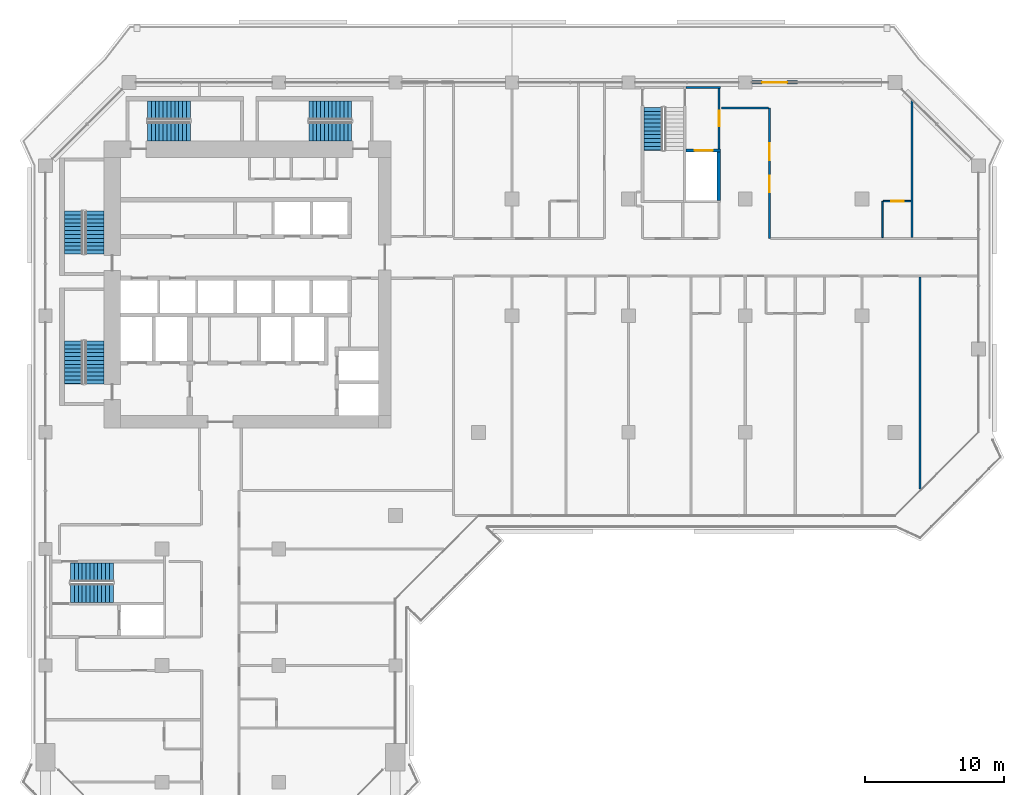
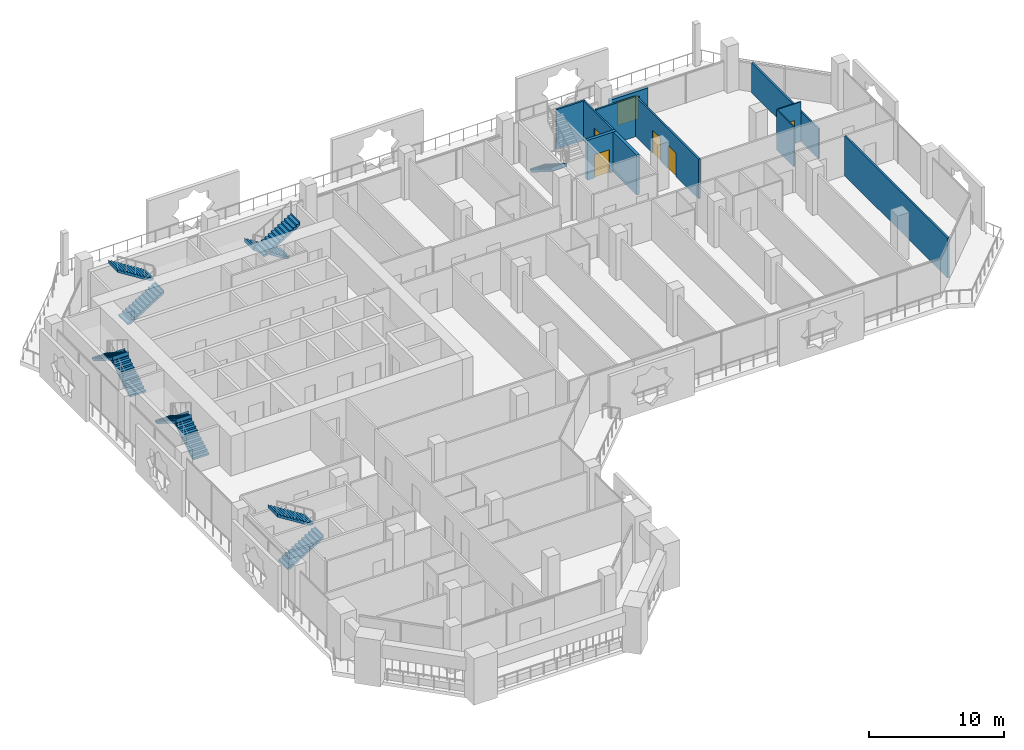
# One storey, part 14 of 22: 11 stair flights, 11 walls, 6 doors, 6 openings, 6 elements without a shape of their own.
"""IFC4 building model written with IfcOpenShell, lengths in metres."""

from ifc_helpers import new_model, si_unit, direction, frame, frame_2d, origin, place, context, subcontext, project, spatial, polyline, rectangle, outline, extrude, material, layer, layer_set, type_object, element, fill, aggregate, save


model = new_model("IFC4")

# Units and contexts
model_context = context("Model", 3, precision=1e-05, world=origin(), true_north=direction((0.0, 1.0)))
body_context = subcontext(model_context, "Body", "Model", "MODEL_VIEW")
ifc_project = project(units=[si_unit("LENGTHUNIT", "METRE"), si_unit("AREAUNIT", "SQUARE_METRE"), si_unit("VOLUMEUNIT", "CUBIC_METRE"), si_unit("PLANEANGLEUNIT", "RADIAN"), si_unit("MASSUNIT", "GRAM", prefix="KILO")], contexts=[model_context])

# Site, building, storey
site_placement = place(None, origin())
site = spatial("IfcSite", under=ifc_project, at=site_placement, CompositionType="ELEMENT")
building_placement = place(site_placement, origin())
building = spatial("IfcBuilding", under=site, at=building_placement, Name="Kawkab Arch Medical Tower", CompositionType="ELEMENT")
storey_placement = place(building_placement, frame((0.0, 0.0, 171.0)))
storey = spatial("IfcBuildingStorey", under=building, at=storey_placement, Name="L39", CompositionType="ELEMENT", Elevation=171.0)

# Wall, opening, door
ifc_material_1 = material(Name="Gypsum board on steel studs", Category="steel")
ifc_layer_1 = layer(ifc_material_1, 0.14990234375)
ifc_layer_set_1 = layer_set([ifc_layer_1], Name="Gypsum board on steel studs")
wall_type_1 = type_object("IfcWallType", Name="Core room partition 150", PredefinedType="PARTITIONING", material=ifc_layer_set_1)
wall_1_placement = place(storey_placement, frame((48.52490234375, -4.77490234375, 0.0), z_axis=(0.0, 0.0, 1.0), x_axis=(0.0, 1.0, 0.0)))
wall_1 = element("IfcWall", 1, at=wall_1_placement, inside=storey, type_object=wall_type_1, Name="L39 core room partition", PredefinedType="PARTITIONING", context=body_context, shape_type="SweptSolid", body=[
    extrude(rectangle(XDim=4.324951171875, YDim=0.14990234375, at=frame_2d((2.16259765625, 0.0))), origin(), (0.0, 0.0, 1.0), 3.60009765625),
])
opening_1_placement = place(wall_1_placement, frame((1.625, 0.0, 0.0)))
opening_1 = element("IfcOpeningElement", 2, at=opening_1_placement, cuts=wall_1, Name="Opening FD", PredefinedType="OPENING", context=body_context, shape_type="SweptSolid", body=[
    extrude(rectangle(XDim=1.10009765625, YDim=2.10009765625, at=frame_2d((0.550048828125, 1.050048828125))), frame((0.0, 0.0849609375, 0.0), z_axis=(0.0, -1.0, 0.0), x_axis=(1.0, 0.0, 0.0)), (0.0, 0.0, 1.0), 0.169921875),
])
ifc_material_2 = material(Name="Hollow metal fire door leaf")
door_type_1 = type_object("IfcDoorType", Name="Firefighting lobby door 1100", OperationType="SINGLE_SWING_LEFT", PredefinedType="DOOR", material=ifc_material_2)
door_1_placement = place(opening_1_placement, origin())
door_1 = element("IfcDoor", 3, at=door_1_placement, inside=storey, type_object=door_type_1, Name="L39 Service lift lobby door SV1", OperationType="SINGLE_SWING_LEFT", OverallHeight=2.10009765625, OverallWidth=1.10009765625, PredefinedType="DOOR", context=body_context, shape_type="SweptSolid", body=[
    extrude(rectangle(XDim=1.10009765625, YDim=2.10009765625, at=frame_2d((0.550048828125, 1.050048828125))), frame((0.0, 0.02490234375, 0.0), z_axis=(0.0, -1.0, 0.0), x_axis=(1.0, 0.0, 0.0)), (0.0, 0.0, 1.0), 0.050048828125),
])
fill(opening_1, door_1)

ifc_material_3 = material(Name="Concrete C60/75", Category="concrete")
ifc_layer_2 = layer(ifc_material_3, 0.25)
ifc_layer_set_2 = layer_set([ifc_layer_2], Name="Concrete C60/75")
wall_type_2 = type_object("IfcWallType", Name="Core shear wall 250 C60/75", PredefinedType="SHEAR", material=ifc_layer_set_2)
wall_2_placement = place(storey_placement, frame((46.14990234375, -4.89990234375, 0.0), z_axis=(0.0, 0.0, 1.0), x_axis=(1.0, 0.0, 0.0)))
wall_2 = element("IfcWall", 4, at=wall_2_placement, inside=storey, type_object=wall_type_2, Name="L39 core shear wall", PredefinedType="SHEAR", context=body_context, shape_type="SweptSolid", body=[
    extrude(rectangle(XDim=2.4501953125, YDim=0.25, at=frame_2d((1.22509765625, 0.0))), origin(), (0.0, 0.0, 1.0), 3.60009765625),
])
opening_2_placement = place(wall_2_placement, frame((0.60009765625, 0.0, 0.0)))
opening_2 = element("IfcOpeningElement", 5, at=opening_2_placement, cuts=wall_2, Name="Opening LD2", PredefinedType="OPENING", context=body_context, shape_type="SweptSolid", body=[
    extrude(rectangle(XDim=1.300048828125, YDim=2.10009765625, at=frame_2d((0.64990234375, 1.050048828125))), frame((0.0, 0.135009765625, 0.0), z_axis=(0.0, -1.0, 0.0), x_axis=(1.0, 0.0, 0.0)), (0.0, 0.0, 1.0), 0.27001953125),
])
ifc_material_4 = material(Name="Stainless steel lift door leaf", Category="steel")
door_type_2 = type_object("IfcDoorType", Name="Lift landing door 1300", OperationType="DOUBLE_DOOR_SLIDING", PredefinedType="DOOR", material=ifc_material_4)
door_2_placement = place(opening_2_placement, origin())
door_2 = element("IfcDoor", 6, at=door_2_placement, inside=storey, type_object=door_type_2, Name="L39 Lift landing door SV1", OperationType="DOUBLE_DOOR_SLIDING", OverallHeight=2.10009765625, OverallWidth=1.300048828125, PredefinedType="DOOR", context=body_context, shape_type="SweptSolid", body=[
    extrude(rectangle(XDim=1.300048828125, YDim=2.10009765625, at=frame_2d((0.64990234375, 1.050048828125))), frame((0.0, 0.02490234375, 0.0), z_axis=(0.0, -1.0, 0.0), x_axis=(1.0, 0.0, 0.0)), (0.0, 0.0, 1.0), 0.050048828125),
])
fill(opening_2, door_2)

# Wall
wall_3_placement = place(storey_placement, frame((48.47509765625, -8.5, 0.0), z_axis=(0.0, 0.0, 1.0), x_axis=(0.0, 1.0, 0.0)))
element("IfcWall", 7, at=wall_3_placement, inside=storey, type_object=wall_type_2, Name="L39 core shear wall", PredefinedType="SHEAR", context=body_context, shape_type="SweptSolid", body=[
    extrude(rectangle(XDim=3.47509765625, YDim=0.25, at=frame_2d((1.737548828125, 0.0))), origin(), (0.0, 0.0, 1.0), 3.60009765625),
])

# Wall, opening, door
ifc_material_5 = material(Name="Bronze clad insulated wall panel")
ifc_layer_3 = layer(ifc_material_5, 0.25)
ifc_layer_set_3 = layer_set([ifc_layer_3], Name="Bronze clad insulated wall panel")
wall_type_3 = type_object("IfcWallType", Name="External wall bay 250", PredefinedType="SOLIDWALL", material=ifc_layer_set_3)
wall_4_placement = place(storey_placement, frame((54.14990234375, 0.0, 0.0), z_axis=(0.0, 0.0, 1.0), x_axis=(-1.0, 0.0, 0.0)))
wall_4 = element("IfcWall", 8, at=wall_4_placement, inside=storey, type_object=wall_type_3, Name="External wall bay L39.R11.1.3", PredefinedType="SOLIDWALL", context=body_context, shape_type="SweptSolid", body=[
    extrude(rectangle(XDim=3.27490234375, YDim=0.25, at=frame_2d((1.637451171875, 0.0))), origin(), (0.0, 0.0, 1.0), 2.580078125),
])
opening_3_placement = place(wall_4_placement, frame((0.737548828125, 0.0, 0.0)))
opening_3 = element("IfcOpeningElement", 9, at=opening_3_placement, cuts=wall_4, Name="Opening W39-701", PredefinedType="OPENING", context=body_context, shape_type="SweptSolid", body=[
    extrude(rectangle(XDim=1.800048828125, YDim=2.10009765625, at=frame_2d((0.89990234375, 1.050048828125))), frame((0.0, 0.135009765625, 0.0), z_axis=(0.0, -1.0, 0.0), x_axis=(1.0, 0.0, 0.0)), (0.0, 0.0, 1.0), 0.27001953125),
])
ifc_material_6 = material(Name="Bronze anodised aluminium door with tinted glass", Category="aluminium")
door_type_3 = type_object("IfcDoorType", Name="Double external door 1800 x 2100", OperationType="DOUBLE_DOOR_SINGLE_SWING", PredefinedType="DOOR", material=ifc_material_6)
door_3_placement = place(opening_3_placement, origin())
door_3 = element("IfcDoor", 10, at=door_3_placement, inside=storey, type_object=door_type_3, Name="External door L39.R11.1.3", OperationType="DOUBLE_DOOR_SINGLE_SWING", OverallHeight=2.10009765625, OverallWidth=1.800048828125, PredefinedType="DOOR", context=body_context, shape_type="SweptSolid", body=[
    extrude(rectangle(XDim=1.800048828125, YDim=2.10009765625, at=frame_2d((0.89990234375, 1.050048828125))), frame((0.0, 0.02490234375, 0.0), z_axis=(0.0, -1.0, 0.0), x_axis=(1.0, 0.0, 0.0)), (0.0, 0.0, 1.0), 0.050048828125),
])
fill(opening_3, door_3)

ifc_material_7 = material(Name="Gypsum board partition on steel studs", Category="steel")
ifc_layer_4 = layer(ifc_material_7, 0.10009765625)
ifc_layer_set_4 = layer_set([ifc_layer_4], Name="Gypsum board partition on steel studs")
wall_type_4 = type_object("IfcWallType", Name="Partition 100", PredefinedType="PARTITIONING", material=ifc_layer_set_4)
wall_5_placement = place(storey_placement, frame((60.35205078125, -8.550048828125, 0.0), z_axis=(0.0, 0.0, 1.0), x_axis=(1.0, 0.0, 0.0)))
wall_5 = element("IfcWall", 11, at=wall_5_placement, inside=storey, type_object=wall_type_4, Name="Partition 100 w008", PredefinedType="PARTITIONING", context=body_context, shape_type="SweptSolid", body=[
    extrude(rectangle(XDim=1.972900390625, YDim=0.10009765625, at=frame_2d((0.986328125, 0.0))), origin(), (0.0, 0.0, 1.0), 3.60009765625),
])
opening_4_placement = place(wall_5_placement, frame((0.549072265625, 0.0, 0.0)))
opening_4 = element("IfcOpeningElement", 12, at=opening_4_placement, cuts=wall_5, Name="Opening W39-004", PredefinedType="OPENING", context=body_context, shape_type="SweptSolid", body=[
    extrude(rectangle(XDim=0.89990234375, YDim=2.10009765625, at=frame_2d((0.449951171875, 1.050048828125))), frame((0.0, 0.06005859375, 0.0), z_axis=(0.0, -1.0, 0.0), x_axis=(1.0, 0.0, 0.0)), (0.0, 0.0, 1.0), 0.1201171875),
])
ifc_material_8 = material(Name="Timber door leaf", Category="wood")
door_type_4 = type_object("IfcDoorType", Name="Single door 900x2100", OperationType="NOTDEFINED", PredefinedType="DOOR", material=ifc_material_8)
door_4_placement = place(opening_4_placement, origin())
door_4 = element("IfcDoor", 13, at=door_4_placement, inside=storey, type_object=door_type_4, Name="Door W39-004", OperationType="SINGLE_SWING_LEFT", OverallHeight=2.10009765625, OverallWidth=0.89990234375, PredefinedType="DOOR", context=body_context, shape_type="SweptSolid", body=[
    extrude(rectangle(XDim=0.89990234375, YDim=2.10009765625, at=frame_2d((0.449951171875, 1.050048828125))), frame((0.0, 0.02490234375, 0.0), z_axis=(0.0, -1.0, 0.0), x_axis=(1.0, 0.0, 0.0)), (0.0, 0.0, 1.0), 0.050048828125),
])
fill(opening_4, door_4)

# Walls
wall_6_placement = place(storey_placement, frame((60.300048828125, -11.175048828125, 0.0), z_axis=(0.0, 0.0, 1.0), x_axis=(0.0, 1.0, 0.0)))
element("IfcWall", 14, at=wall_6_placement, inside=storey, type_object=wall_type_4, Name="Partition 100 w017", PredefinedType="PARTITIONING", context=body_context, shape_type="SweptSolid", body=[
    extrude(rectangle(XDim=2.6240234375, YDim=0.10009765625, at=frame_2d((1.31201171875, 0.0))), origin(), (0.0, 0.0, 1.0), 3.60009765625),
])
ifc_material_9 = material(Name="Gypsum board partition on steel studs, mineral wool", Category="steel")
ifc_layer_5 = layer(ifc_material_9, 0.14990234375)
ifc_layer_set_5 = layer_set([ifc_layer_5], Name="Gypsum board partition on steel studs, mineral wool")
wall_type_5 = type_object("IfcWallType", Name="Partition 150", PredefinedType="PARTITIONING", material=ifc_layer_set_5)
wall_7_placement = place(storey_placement, frame((48.679931640625, -1.85009765625, 0.0), z_axis=(0.0, 0.0, 1.0), x_axis=(1.0, 0.0, 0.0)))
element("IfcWall", 15, at=wall_7_placement, inside=storey, type_object=wall_type_5, Name="Partition 150 w039", PredefinedType="PARTITIONING", context=body_context, shape_type="SweptSolid", body=[
    extrude(rectangle(XDim=3.386962890625, YDim=0.14990234375, at=frame_2d((1.693359375, 0.0))), origin(), (0.0, 0.0, 1.0), 3.60009765625),
])

# Wall, openings, doors
wall_8_placement = place(storey_placement, frame((52.14306640625, -11.25, 0.0), z_axis=(0.0, 0.0, 1.0), x_axis=(0.0, 1.0, 0.0)))
wall_8 = element("IfcWall", 16, at=wall_8_placement, inside=storey, type_object=wall_type_5, Name="Partition 150 w066", PredefinedType="PARTITIONING", context=body_context, shape_type="SweptSolid", body=[
    extrude(rectangle(XDim=9.39794921875, YDim=0.14990234375, at=frame_2d((4.698974609375, 0.0))), origin(), (0.0, 0.0, 1.0), 3.60009765625),
])
opening_5_placement = place(wall_8_placement, frame((5.6650390625, 0.0, 0.0)))
opening_5 = element("IfcOpeningElement", 17, at=opening_5_placement, cuts=wall_8, Name="Opening W39-028", PredefinedType="OPENING", context=body_context, shape_type="SweptSolid", body=[
    extrude(rectangle(XDim=1.199951171875, YDim=2.10009765625, at=frame_2d((0.60009765625, 1.050048828125))), frame((0.0, 0.0849609375, 0.0), z_axis=(0.0, -1.0, 0.0), x_axis=(1.0, 0.0, 0.0)), (0.0, 0.0, 1.0), 0.169921875),
])
opening_6_placement = place(wall_8_placement, frame((3.3330078125, 0.0, 0.0)))
opening_6 = element("IfcOpeningElement", 18, at=opening_6_placement, cuts=wall_8, Name="Opening W39-029", PredefinedType="OPENING", context=body_context, shape_type="SweptSolid", body=[
    extrude(rectangle(XDim=1.199951171875, YDim=2.10009765625, at=frame_2d((0.60009765625, 1.050048828125))), frame((0.0, 0.0849609375, 0.0), z_axis=(0.0, -1.0, 0.0), x_axis=(1.0, 0.0, 0.0)), (0.0, 0.0, 1.0), 0.169921875),
])
ifc_material_10 = material(Name="Hollow metal door leaf")
door_type_5 = type_object("IfcDoorType", Name="Single door 1200x2100 FD30S", OperationType="NOTDEFINED", PredefinedType="DOOR", material=ifc_material_10)
door_5_placement = place(opening_5_placement, origin())
door_5 = element("IfcDoor", 19, at=door_5_placement, inside=storey, type_object=door_type_5, Name="Door W39-028", OperationType="SINGLE_SWING_LEFT", OverallHeight=2.10009765625, OverallWidth=1.199951171875, PredefinedType="DOOR", context=body_context, shape_type="SweptSolid", body=[
    extrude(rectangle(XDim=1.199951171875, YDim=2.10009765625, at=frame_2d((0.60009765625, 1.050048828125))), frame((0.0, 0.02490234375, 0.0), z_axis=(0.0, -1.0, 0.0), x_axis=(1.0, 0.0, 0.0)), (0.0, 0.0, 1.0), 0.050048828125),
])
fill(opening_5, door_5)
door_6_placement = place(opening_6_placement, origin())
door_6 = element("IfcDoor", 20, at=door_6_placement, inside=storey, type_object=door_type_5, Name="Door W39-029", OperationType="SINGLE_SWING_RIGHT", OverallHeight=2.10009765625, OverallWidth=1.199951171875, PredefinedType="DOOR", context=body_context, shape_type="SweptSolid", body=[
    extrude(rectangle(XDim=1.199951171875, YDim=2.10009765625, at=frame_2d((0.60009765625, 1.050048828125))), frame((0.0, 0.02490234375, 0.0), z_axis=(0.0, -1.0, 0.0), x_axis=(1.0, 0.0, 0.0)), (0.0, 0.0, 1.0), 0.050048828125),
])
fill(opening_6, door_6)

# Walls
wall_9_placement = place(storey_placement, frame((62.39990234375, -11.175048828125, 0.0), z_axis=(0.0, 0.0, 1.0), x_axis=(0.0, 1.0, 0.0)))
element("IfcWall", 21, at=wall_9_placement, inside=storey, type_object=wall_type_5, Name="Partition 150 w069", PredefinedType="PARTITIONING", context=body_context, shape_type="SweptSolid", body=[
    extrude(rectangle(XDim=9.862060546875, YDim=0.14990234375, at=frame_2d((4.93115234375, 0.0))), origin(), (0.0, 0.0, 1.0), 2.699951171875),
])
wall_10_placement = place(storey_placement, frame((63.0, -29.287109375, 0.0), z_axis=(0.0, 0.0, 1.0), x_axis=(0.0, 1.0, 0.0)))
element("IfcWall", 22, at=wall_10_placement, inside=storey, type_object=wall_type_5, Name="Partition 150 w070", PredefinedType="PARTITIONING", context=body_context, shape_type="SweptSolid", body=[
    extrude(rectangle(XDim=15.26220703125, YDim=0.14990234375, at=frame_2d((7.631103515625, 0.0))), origin(), (0.0, 0.0, 1.0), 3.60009765625),
])
ifc_material_11 = material(Name="Concrete C50/60", Category="concrete")
ifc_layer_6 = layer(ifc_material_11, 0.14990234375)
ifc_layer_set_6 = layer_set([ifc_layer_6], Name="Concrete C50/60")
wall_type_6 = type_object("IfcWallType", Name="Stair enclosure wall 150 C50/60", PredefinedType="SHEAR", material=ifc_layer_set_6)
wall_11_placement = place(storey_placement, frame((46.14990234375, -0.375, 0.0), z_axis=(0.0, 0.0, 1.0), x_axis=(1.0, 0.0, 0.0)))
element("IfcWall", 23, at=wall_11_placement, inside=storey, type_object=wall_type_6, Name="L39 stair enclosure wall", PredefinedType="SHEAR", context=body_context, shape_type="SweptSolid", body=[
    extrude(rectangle(XDim=2.4501953125, YDim=0.14990234375, at=frame_2d((1.22509765625, 0.0))), origin(), (0.0, 0.0, 1.0), 3.60009765625),
])

# Stair, stair flights
ifc_material_12 = material(Name="Concrete C40/50", Category="concrete")
stair_type = type_object("IfcStairType", Name="Exit stair 1350", PredefinedType="HALF_TURN_STAIR", material=ifc_material_12)
placement = place(storey_placement, origin())
stair_1 = element("IfcStair", 24, at=placement, inside=storey, type_object=stair_type, Name="L39 Exit stair ST1", PredefinedType="HALF_TURN_STAIR")
ifc_material_13 = material(Name="Concrete C40/50", Category="concrete")
stair_flight_type = type_object("IfcStairFlightType", Name="Exit stair flight 1350", PredefinedType="STRAIGHT", material=ifc_material_13)
stair_flight_1_placement = place(storey_placement, frame((3.52490234375, -12.35009765625, 0.0), z_axis=(0.0, 0.0, 1.0), x_axis=(0.0, 1.0, 0.0)))
stair_flight_1 = element("IfcStairFlight", 25, at=stair_flight_1_placement, type_object=stair_flight_type, Name="ST1 flight 1", NumberOfRisers=12, NumberOfTreads=11, PredefinedType="STRAIGHT", RiserHeight=0.175, TreadLength=0.28, context=body_context, shape_type="SweptSolid", body=[
    extrude(outline(polyline([(-0.0029296875, 0.0), (-0.0029296875, 0.175048828125), (0.0, 0.175048828125), (0.280029296875, 0.175048828125), (0.280029296875, 0.35009765625), (0.56005859375, 0.35009765625), (0.56005859375, 0.52490234375), (0.840087890625, 0.52490234375), (0.840087890625, 0.699951171875), (1.1201171875, 0.699951171875), (1.1201171875, 0.875), (1.39990234375, 0.875), (1.39990234375, 1.050048828125), (1.679931640625, 1.050048828125), (1.679931640625, 1.22509765625), (1.9599609375, 1.22509765625), (1.9599609375, 1.39990234375), (2.239990234375, 1.39990234375), (2.239990234375, 1.574951171875), (2.52001953125, 1.574951171875), (2.52001953125, 1.75), (2.800048828125, 1.75), (2.800048828125, 1.925048828125), (3.080078125, 1.925048828125), (3.080078125, 2.10009765625), (3.0830078125, 2.10009765625), (3.0830078125, 1.748291015625), (3.080078125, 1.748291015625), (0.28271484375, 0.0), (-0.0029296875, 0.0)])), frame((0.0, 0.675048828125, 0.0), z_axis=(0.0, -1.0, 0.0), x_axis=(1.0, 0.0, 0.0)), (0.0, 0.0, 1.0), 1.35009765625),
])
stair_flight_2_placement = place(storey_placement, frame((2.02490234375, -9.27001953125, 2.10009765625), z_axis=(0.0, 0.0, 1.0), x_axis=(0.0, -1.0, 0.0)))
stair_flight_2 = element("IfcStairFlight", 26, at=stair_flight_2_placement, type_object=stair_flight_type, Name="ST1 flight 2", NumberOfRisers=12, NumberOfTreads=11, PredefinedType="STRAIGHT", RiserHeight=0.175, TreadLength=0.28, context=body_context, shape_type="SweptSolid", body=[
    extrude(outline(polyline([(-0.0029296875, 0.0), (-0.0029296875, 0.175048828125), (0.0, 0.175048828125), (0.280029296875, 0.175048828125), (0.280029296875, 0.35009765625), (0.56005859375, 0.35009765625), (0.56005859375, 0.52490234375), (0.840087890625, 0.52490234375), (0.840087890625, 0.699951171875), (1.1201171875, 0.699951171875), (1.1201171875, 0.875), (1.39990234375, 0.875), (1.39990234375, 1.050048828125), (1.679931640625, 1.050048828125), (1.679931640625, 1.22509765625), (1.9599609375, 1.22509765625), (1.9599609375, 1.39990234375), (2.239990234375, 1.39990234375), (2.239990234375, 1.574951171875), (2.52001953125, 1.574951171875), (2.52001953125, 1.75), (2.800048828125, 1.75), (2.800048828125, 1.925048828125), (3.080078125, 1.925048828125), (3.080078125, 2.10009765625), (3.0830078125, 2.10009765625), (3.0830078125, 1.748291015625), (3.080078125, 1.748291015625), (0.28271484375, 0.0), (-0.0029296875, 0.0)])), frame((0.0, 0.675048828125, 0.0), z_axis=(0.0, -1.0, 0.0), x_axis=(1.0, 0.0, 0.0)), (0.0, 0.0, 1.0), 1.35009765625),
])
aggregate(stair_1, [stair_flight_1, stair_flight_2])

stair_2 = element("IfcStair", 27, at=placement, inside=storey, type_object=stair_type, Name="L39 Exit stair ST2", PredefinedType="HALF_TURN_STAIR")
stair_flight_3_placement = place(storey_placement, frame((3.52490234375, -21.699951171875, 0.0), z_axis=(0.0, 0.0, 1.0), x_axis=(0.0, 1.0, 0.0)))
stair_flight_3 = element("IfcStairFlight", 28, at=stair_flight_3_placement, type_object=stair_flight_type, Name="ST2 flight 1", NumberOfRisers=12, NumberOfTreads=11, PredefinedType="STRAIGHT", RiserHeight=0.175, TreadLength=0.28, context=body_context, shape_type="SweptSolid", body=[
    extrude(outline(polyline([(-0.0029296875, 0.0), (-0.0029296875, 0.175048828125), (0.0, 0.175048828125), (0.280029296875, 0.175048828125), (0.280029296875, 0.35009765625), (0.56005859375, 0.35009765625), (0.56005859375, 0.52490234375), (0.840087890625, 0.52490234375), (0.840087890625, 0.699951171875), (1.1201171875, 0.699951171875), (1.1201171875, 0.875), (1.39990234375, 0.875), (1.39990234375, 1.050048828125), (1.679931640625, 1.050048828125), (1.679931640625, 1.22509765625), (1.9599609375, 1.22509765625), (1.9599609375, 1.39990234375), (2.239990234375, 1.39990234375), (2.239990234375, 1.574951171875), (2.52001953125, 1.574951171875), (2.52001953125, 1.75), (2.800048828125, 1.75), (2.800048828125, 1.925048828125), (3.080078125, 1.925048828125), (3.080078125, 2.10009765625), (3.0830078125, 2.10009765625), (3.0830078125, 1.748291015625), (3.080078125, 1.748291015625), (0.28271484375, 0.0), (-0.0029296875, 0.0)])), frame((0.0, 0.675048828125, 0.0), z_axis=(0.0, -1.0, 0.0), x_axis=(1.0, 0.0, 0.0)), (0.0, 0.0, 1.0), 1.35009765625),
])
stair_flight_4_placement = place(storey_placement, frame((2.02490234375, -18.6201171875, 2.10009765625), z_axis=(0.0, 0.0, 1.0), x_axis=(0.0, -1.0, 0.0)))
stair_flight_4 = element("IfcStairFlight", 29, at=stair_flight_4_placement, type_object=stair_flight_type, Name="ST2 flight 2", NumberOfRisers=12, NumberOfTreads=11, PredefinedType="STRAIGHT", RiserHeight=0.175, TreadLength=0.28, context=body_context, shape_type="SweptSolid", body=[
    extrude(outline(polyline([(-0.0029296875, 0.0), (-0.0029296875, 0.175048828125), (0.0, 0.175048828125), (0.280029296875, 0.175048828125), (0.280029296875, 0.35009765625), (0.56005859375, 0.35009765625), (0.56005859375, 0.52490234375), (0.840087890625, 0.52490234375), (0.840087890625, 0.699951171875), (1.1201171875, 0.699951171875), (1.1201171875, 0.875), (1.39990234375, 0.875), (1.39990234375, 1.050048828125), (1.679931640625, 1.050048828125), (1.679931640625, 1.22509765625), (1.9599609375, 1.22509765625), (1.9599609375, 1.39990234375), (2.239990234375, 1.39990234375), (2.239990234375, 1.574951171875), (2.52001953125, 1.574951171875), (2.52001953125, 1.75), (2.800048828125, 1.75), (2.800048828125, 1.925048828125), (3.080078125, 1.925048828125), (3.080078125, 2.10009765625), (3.0830078125, 2.10009765625), (3.0830078125, 1.748291015625), (3.080078125, 1.748291015625), (0.28271484375, 0.0), (-0.0029296875, 0.0)])), frame((0.0, 0.675048828125, 0.0), z_axis=(0.0, -1.0, 0.0), x_axis=(1.0, 0.0, 0.0)), (0.0, 0.0, 1.0), 1.35009765625),
])
aggregate(stair_2, [stair_flight_3, stair_flight_4])

stair_3 = element("IfcStair", 30, at=placement, inside=storey, type_object=stair_type, Name="L39 Exit stair ST3", PredefinedType="HALF_TURN_STAIR")
stair_flight_5_placement = place(storey_placement, frame((7.35009765625, -3.52490234375, 0.0), z_axis=(0.0, 0.0, 1.0), x_axis=(1.0, 0.0, 0.0)))
stair_flight_5 = element("IfcStairFlight", 31, at=stair_flight_5_placement, type_object=stair_flight_type, Name="ST3 flight 1", NumberOfRisers=12, NumberOfTreads=11, PredefinedType="STRAIGHT", RiserHeight=0.175, TreadLength=0.28, context=body_context, shape_type="SweptSolid", body=[
    extrude(outline(polyline([(-0.0029296875, 0.0), (-0.0029296875, 0.175048828125), (0.0, 0.175048828125), (0.280029296875, 0.175048828125), (0.280029296875, 0.35009765625), (0.56005859375, 0.35009765625), (0.56005859375, 0.52490234375), (0.840087890625, 0.52490234375), (0.840087890625, 0.699951171875), (1.1201171875, 0.699951171875), (1.1201171875, 0.875), (1.39990234375, 0.875), (1.39990234375, 1.050048828125), (1.679931640625, 1.050048828125), (1.679931640625, 1.22509765625), (1.9599609375, 1.22509765625), (1.9599609375, 1.39990234375), (2.239990234375, 1.39990234375), (2.239990234375, 1.574951171875), (2.52001953125, 1.574951171875), (2.52001953125, 1.75), (2.800048828125, 1.75), (2.800048828125, 1.925048828125), (3.080078125, 1.925048828125), (3.080078125, 2.10009765625), (3.0830078125, 2.10009765625), (3.0830078125, 1.748291015625), (3.080078125, 1.748291015625), (0.28271484375, 0.0), (-0.0029296875, 0.0)])), frame((0.0, 0.675048828125, 0.0), z_axis=(0.0, -1.0, 0.0), x_axis=(1.0, 0.0, 0.0)), (0.0, 0.0, 1.0), 1.35009765625),
])
stair_flight_6_placement = place(storey_placement, frame((10.429931640625, -2.02490234375, 2.10009765625), z_axis=(0.0, 0.0, 1.0), x_axis=(-1.0, 0.0, 0.0)))
stair_flight_6 = element("IfcStairFlight", 32, at=stair_flight_6_placement, type_object=stair_flight_type, Name="ST3 flight 2", NumberOfRisers=12, NumberOfTreads=11, PredefinedType="STRAIGHT", RiserHeight=0.175, TreadLength=0.28, context=body_context, shape_type="SweptSolid", body=[
    extrude(outline(polyline([(-0.0029296875, 0.0), (-0.0029296875, 0.175048828125), (0.0, 0.175048828125), (0.280029296875, 0.175048828125), (0.280029296875, 0.35009765625), (0.56005859375, 0.35009765625), (0.56005859375, 0.52490234375), (0.840087890625, 0.52490234375), (0.840087890625, 0.699951171875), (1.1201171875, 0.699951171875), (1.1201171875, 0.875), (1.39990234375, 0.875), (1.39990234375, 1.050048828125), (1.679931640625, 1.050048828125), (1.679931640625, 1.22509765625), (1.9599609375, 1.22509765625), (1.9599609375, 1.39990234375), (2.239990234375, 1.39990234375), (2.239990234375, 1.574951171875), (2.52001953125, 1.574951171875), (2.52001953125, 1.75), (2.800048828125, 1.75), (2.800048828125, 1.925048828125), (3.080078125, 1.925048828125), (3.080078125, 2.10009765625), (3.0830078125, 2.10009765625), (3.0830078125, 1.748291015625), (3.080078125, 1.748291015625), (0.28271484375, 0.0), (-0.0029296875, 0.0)])), frame((0.0, 0.675048828125, 0.0), z_axis=(0.0, -1.0, 0.0), x_axis=(1.0, 0.0, 0.0)), (0.0, 0.0, 1.0), 1.35009765625),
])
aggregate(stair_3, [stair_flight_5, stair_flight_6])

stair_4 = element("IfcStair", 33, at=placement, inside=storey, type_object=stair_type, Name="L39 Exit stair ST4", PredefinedType="HALF_TURN_STAIR")
stair_flight_7_placement = place(storey_placement, frame((22.050048828125, -2.02490234375, 0.0), z_axis=(0.0, 0.0, 1.0), x_axis=(-1.0, 0.0, 0.0)))
stair_flight_7 = element("IfcStairFlight", 34, at=stair_flight_7_placement, type_object=stair_flight_type, Name="ST4 flight 1", NumberOfRisers=12, NumberOfTreads=11, PredefinedType="STRAIGHT", RiserHeight=0.175, TreadLength=0.28, context=body_context, shape_type="SweptSolid", body=[
    extrude(outline(polyline([(-0.0029296875, 0.0), (-0.0029296875, 0.175048828125), (0.0, 0.175048828125), (0.280029296875, 0.175048828125), (0.280029296875, 0.35009765625), (0.56005859375, 0.35009765625), (0.56005859375, 0.52490234375), (0.840087890625, 0.52490234375), (0.840087890625, 0.699951171875), (1.1201171875, 0.699951171875), (1.1201171875, 0.875), (1.39990234375, 0.875), (1.39990234375, 1.050048828125), (1.679931640625, 1.050048828125), (1.679931640625, 1.22509765625), (1.9599609375, 1.22509765625), (1.9599609375, 1.39990234375), (2.239990234375, 1.39990234375), (2.239990234375, 1.574951171875), (2.52001953125, 1.574951171875), (2.52001953125, 1.75), (2.800048828125, 1.75), (2.800048828125, 1.925048828125), (3.080078125, 1.925048828125), (3.080078125, 2.10009765625), (3.0830078125, 2.10009765625), (3.0830078125, 1.748291015625), (3.080078125, 1.748291015625), (0.28271484375, 0.0), (-0.0029296875, 0.0)])), frame((0.0, 0.675048828125, 0.0), z_axis=(0.0, -1.0, 0.0), x_axis=(1.0, 0.0, 0.0)), (0.0, 0.0, 1.0), 1.35009765625),
])
stair_flight_8_placement = place(storey_placement, frame((18.969970703125, -3.52490234375, 2.10009765625), z_axis=(0.0, 0.0, 1.0), x_axis=(1.0, 0.0, 0.0)))
stair_flight_8 = element("IfcStairFlight", 35, at=stair_flight_8_placement, type_object=stair_flight_type, Name="ST4 flight 2", NumberOfRisers=12, NumberOfTreads=11, PredefinedType="STRAIGHT", RiserHeight=0.175, TreadLength=0.28, context=body_context, shape_type="SweptSolid", body=[
    extrude(outline(polyline([(-0.0029296875, 0.0), (-0.0029296875, 0.175048828125), (0.0, 0.175048828125), (0.280029296875, 0.175048828125), (0.280029296875, 0.35009765625), (0.56005859375, 0.35009765625), (0.56005859375, 0.52490234375), (0.840087890625, 0.52490234375), (0.840087890625, 0.699951171875), (1.1201171875, 0.699951171875), (1.1201171875, 0.875), (1.39990234375, 0.875), (1.39990234375, 1.050048828125), (1.679931640625, 1.050048828125), (1.679931640625, 1.22509765625), (1.9599609375, 1.22509765625), (1.9599609375, 1.39990234375), (2.239990234375, 1.39990234375), (2.239990234375, 1.574951171875), (2.52001953125, 1.574951171875), (2.52001953125, 1.75), (2.800048828125, 1.75), (2.800048828125, 1.925048828125), (3.080078125, 1.925048828125), (3.080078125, 2.10009765625), (3.0830078125, 2.10009765625), (3.0830078125, 1.748291015625), (3.080078125, 1.748291015625), (0.28271484375, 0.0), (-0.0029296875, 0.0)])), frame((0.0, 0.675048828125, 0.0), z_axis=(0.0, -1.0, 0.0), x_axis=(1.0, 0.0, 0.0)), (0.0, 0.0, 1.0), 1.35009765625),
])
aggregate(stair_4, [stair_flight_7, stair_flight_8])

# Stair, stair flight
stair_5 = element("IfcStair", 36, at=placement, inside=storey, type_object=stair_type, Name="L39 Exit stair ST5", PredefinedType="HALF_TURN_STAIR")
stair_flight_9_placement = place(storey_placement, frame((43.77490234375, -1.800048828125, 0.0), z_axis=(0.0, 0.0, 1.0), x_axis=(0.0, -1.0, 0.0)))
stair_flight_9 = element("IfcStairFlight", 37, at=stair_flight_9_placement, type_object=stair_flight_type, Name="ST5 flight 1", NumberOfRisers=12, NumberOfTreads=11, PredefinedType="STRAIGHT", RiserHeight=0.175, TreadLength=0.28, context=body_context, shape_type="SweptSolid", body=[
    extrude(outline(polyline([(-0.0029296875, 0.0), (-0.0029296875, 0.175048828125), (0.0, 0.175048828125), (0.280029296875, 0.175048828125), (0.280029296875, 0.35009765625), (0.56005859375, 0.35009765625), (0.56005859375, 0.52490234375), (0.840087890625, 0.52490234375), (0.840087890625, 0.699951171875), (1.1201171875, 0.699951171875), (1.1201171875, 0.875), (1.39990234375, 0.875), (1.39990234375, 1.050048828125), (1.679931640625, 1.050048828125), (1.679931640625, 1.22509765625), (1.9599609375, 1.22509765625), (1.9599609375, 1.39990234375), (2.239990234375, 1.39990234375), (2.239990234375, 1.574951171875), (2.52001953125, 1.574951171875), (2.52001953125, 1.75), (2.800048828125, 1.75), (2.800048828125, 1.925048828125), (3.080078125, 1.925048828125), (3.080078125, 2.10009765625), (3.0830078125, 2.10009765625), (3.0830078125, 1.748291015625), (3.080078125, 1.748291015625), (0.28271484375, 0.0), (-0.0029296875, 0.0)])), frame((0.0, 0.675048828125, 0.0), z_axis=(0.0, -1.0, 0.0), x_axis=(1.0, 0.0, 0.0)), (0.0, 0.0, 1.0), 1.35009765625),
])
aggregate(stair_5, [stair_flight_9])

# Stair, stair flights
stair_6 = element("IfcStair", 38, at=placement, inside=storey, type_object=stair_type, Name="L39 Exit stair ST6", PredefinedType="HALF_TURN_STAIR")
stair_flight_10_placement = place(storey_placement, frame((1.800048828125, -36.77490234375, 0.0), z_axis=(0.0, 0.0, 1.0), x_axis=(1.0, 0.0, 0.0)))
stair_flight_10 = element("IfcStairFlight", 39, at=stair_flight_10_placement, type_object=stair_flight_type, Name="ST6 flight 1", NumberOfRisers=12, NumberOfTreads=11, PredefinedType="STRAIGHT", RiserHeight=0.175, TreadLength=0.28, context=body_context, shape_type="SweptSolid", body=[
    extrude(outline(polyline([(-0.0029296875, 0.0), (-0.0029296875, 0.175048828125), (0.0, 0.175048828125), (0.280029296875, 0.175048828125), (0.280029296875, 0.35009765625), (0.56005859375, 0.35009765625), (0.56005859375, 0.52490234375), (0.840087890625, 0.52490234375), (0.840087890625, 0.699951171875), (1.1201171875, 0.699951171875), (1.1201171875, 0.875), (1.39990234375, 0.875), (1.39990234375, 1.050048828125), (1.679931640625, 1.050048828125), (1.679931640625, 1.22509765625), (1.9599609375, 1.22509765625), (1.9599609375, 1.39990234375), (2.239990234375, 1.39990234375), (2.239990234375, 1.574951171875), (2.52001953125, 1.574951171875), (2.52001953125, 1.75), (2.800048828125, 1.75), (2.800048828125, 1.925048828125), (3.080078125, 1.925048828125), (3.080078125, 2.10009765625), (3.0830078125, 2.10009765625), (3.0830078125, 1.748291015625), (3.080078125, 1.748291015625), (0.28271484375, 0.0), (-0.0029296875, 0.0)])), frame((0.0, 0.675048828125, 0.0), z_axis=(0.0, -1.0, 0.0), x_axis=(1.0, 0.0, 0.0)), (0.0, 0.0, 1.0), 1.35009765625),
])
stair_flight_11_placement = place(storey_placement, frame((4.8798828125, -35.27490234375, 2.10009765625), z_axis=(0.0, 0.0, 1.0), x_axis=(-1.0, 0.0, 0.0)))
stair_flight_11 = element("IfcStairFlight", 40, at=stair_flight_11_placement, type_object=stair_flight_type, Name="ST6 flight 2", NumberOfRisers=12, NumberOfTreads=11, PredefinedType="STRAIGHT", RiserHeight=0.175, TreadLength=0.28, context=body_context, shape_type="SweptSolid", body=[
    extrude(outline(polyline([(-0.0029296875, 0.0), (-0.0029296875, 0.175048828125), (0.0, 0.175048828125), (0.280029296875, 0.175048828125), (0.280029296875, 0.35009765625), (0.56005859375, 0.35009765625), (0.56005859375, 0.52490234375), (0.840087890625, 0.52490234375), (0.840087890625, 0.699951171875), (1.1201171875, 0.699951171875), (1.1201171875, 0.875), (1.39990234375, 0.875), (1.39990234375, 1.050048828125), (1.679931640625, 1.050048828125), (1.679931640625, 1.22509765625), (1.9599609375, 1.22509765625), (1.9599609375, 1.39990234375), (2.239990234375, 1.39990234375), (2.239990234375, 1.574951171875), (2.52001953125, 1.574951171875), (2.52001953125, 1.75), (2.800048828125, 1.75), (2.800048828125, 1.925048828125), (3.080078125, 1.925048828125), (3.080078125, 2.10009765625), (3.0830078125, 2.10009765625), (3.0830078125, 1.748291015625), (3.080078125, 1.748291015625), (0.28271484375, 0.0), (-0.0029296875, 0.0)])), frame((0.0, 0.675048828125, 0.0), z_axis=(0.0, -1.0, 0.0), x_axis=(1.0, 0.0, 0.0)), (0.0, 0.0, 1.0), 1.35009765625),
])
aggregate(stair_6, [stair_flight_10, stair_flight_11])

save(model, "model.ifc")
